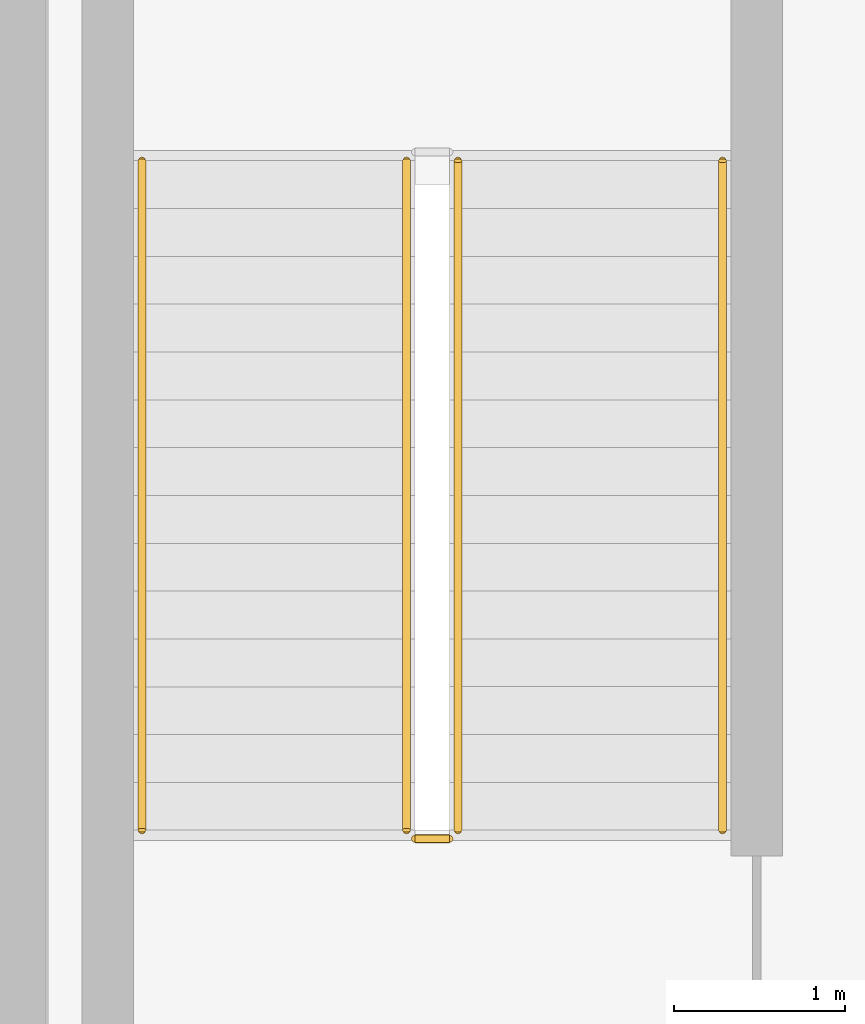
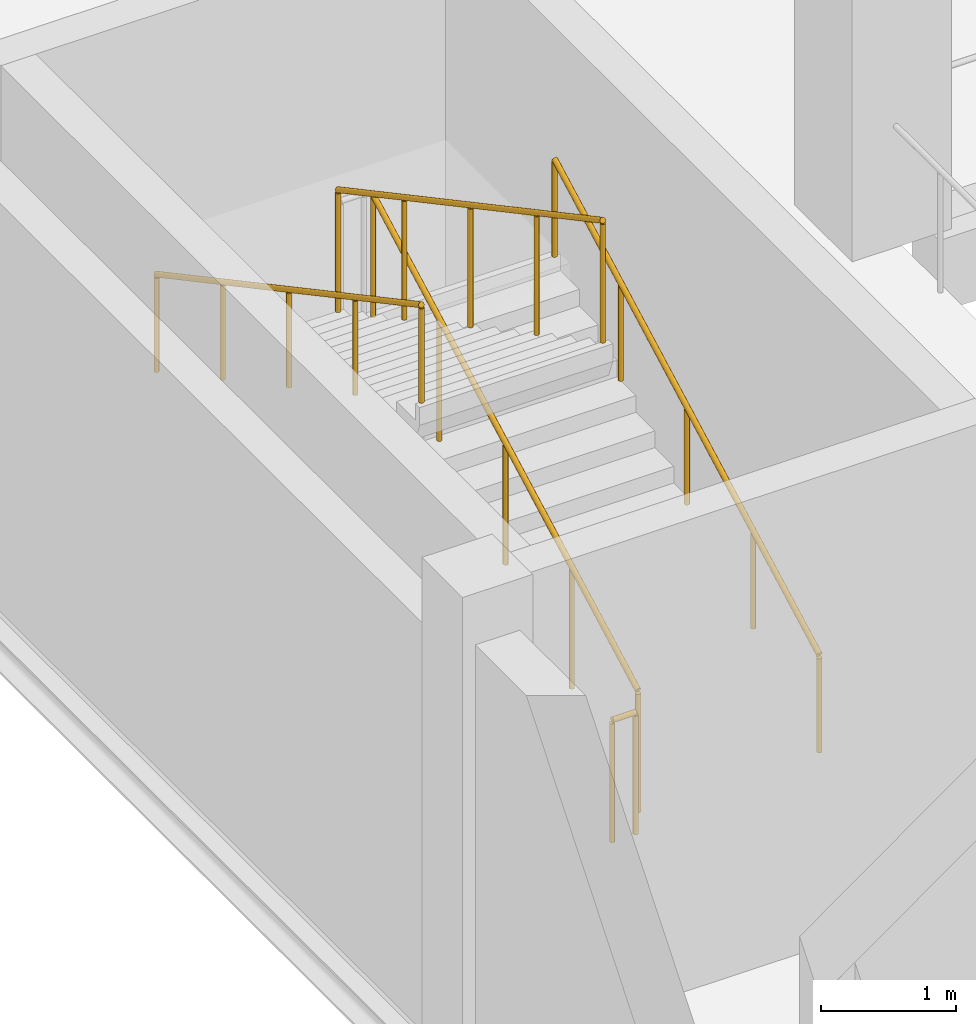
# One storey, part 173 of 183: 5 railings.
"""IFC4 building model written with IfcOpenShell, lengths in metres."""

from ifc_helpers import new_model, si_unit, direction, frame, origin, origin_2d, place, context, subcontext, project, spatial, circle, extrude, material, type_object, element, save


model = new_model("IFC4")

# Units and contexts
model_context = context("Model", 3, precision=1e-05, world=origin(), true_north=direction((0.0, 1.0)))
body_context = subcontext(model_context, "Body", "Model", "MODEL_VIEW")
ifc_project = project(units=[si_unit("LENGTHUNIT", "METRE"), si_unit("AREAUNIT", "SQUARE_METRE"), si_unit("VOLUMEUNIT", "CUBIC_METRE"), si_unit("PLANEANGLEUNIT", "RADIAN"), si_unit("MASSUNIT", "GRAM", prefix="KILO")], contexts=[model_context])

# Site, building, storey
site_placement = place(None, origin())
site = spatial("IfcSite", under=ifc_project, at=site_placement, CompositionType="ELEMENT")
building_placement = place(site_placement, origin())
building = spatial("IfcBuilding", under=site, at=building_placement, Name="Luwemba Playhouse", CompositionType="ELEMENT")
storey_placement = place(building_placement, frame((0.0, 0.0, 4.800048828125)))
storey = spatial("IfcBuildingStorey", under=building, at=storey_placement, Name="L01", CompositionType="ELEMENT", Elevation=4.800048828125)

# Railings
ifc_material_1 = material(Name="Painted wrought-iron gallery balustrade", Category="steel")
railing_type_1 = type_object("IfcRailingType", Name="RLG-BAL-INT", PredefinedType="BALUSTRADE", material=ifc_material_1)
railing_1_placement = place(storey_placement, frame((6.550048828125, 78.0400390625, 0.14990234375)))
element("IfcRailing", 1, at=railing_1_placement, inside=storey, type_object=railing_type_1, Name="L01 ST-03 stair guard 1", PredefinedType="BALUSTRADE", context=body_context, shape_type="SweptSolid", body=[
    extrude(circle(Radius=0.02392578125, at=origin_2d()), frame((0.0, 0.0, 1.09619140625), z_axis=(0.0, 0.881466911329, 0.472245787945), x_axis=(-1.0, 0.0, 0.0)), (0.0, 0.0, 1.0), 4.447021484375),
    extrude(circle(Radius=0.02099609375, at=origin_2d()), origin(), (0.0, 0.0, 1.0), 1.072021484375),
    extrude(circle(Radius=0.02099609375, at=origin_2d()), frame((0.0, 0.97998046875, 0.52490234375)), (0.0, 0.0, 1.0), 1.072021484375),
    extrude(circle(Radius=0.02099609375, at=origin_2d()), frame((0.0, 1.9599609375, 1.050048828125)), (0.0, 0.0, 1.0), 1.072021484375),
    extrude(circle(Radius=0.02099609375, at=origin_2d()), frame((0.0, 2.93994140625, 1.5751953125)), (0.0, 0.0, 1.0), 1.072021484375),
    extrude(circle(Radius=0.02099609375, at=origin_2d()), frame((0.0, 3.919921875, 2.10009765625)), (0.0, 0.0, 1.0), 1.072021484375),
])
railing_2_placement = place(storey_placement, frame((6.25, 81.9599609375, 2.39990234375)))
element("IfcRailing", 2, at=railing_2_placement, inside=storey, type_object=railing_type_1, Name="L01 ST-03 stair guard 3", PredefinedType="BALUSTRADE", context=body_context, shape_type="SweptSolid", body=[
    extrude(circle(Radius=0.02392578125, at=origin_2d()), frame((0.0, 0.0, 1.09619140625), z_axis=(0.0, -0.881466911329, 0.472245787945), x_axis=(1.0, 0.0, 0.0)), (0.0, 0.0, 1.0), 4.447021484375),
    extrude(circle(Radius=0.02099609375, at=origin_2d()), origin(), (0.0, 0.0, 1.0), 1.072021484375),
    extrude(circle(Radius=0.02099609375, at=origin_2d()), frame((0.0, -0.97998046875, 0.52490234375)), (0.0, 0.0, 1.0), 1.072021484375),
    extrude(circle(Radius=0.02099609375, at=origin_2d()), frame((0.0, -1.9599609375, 1.050048828125)), (0.0, 0.0, 1.0), 1.072021484375),
    extrude(circle(Radius=0.02099609375, at=origin_2d()), frame((0.0, -2.93994140625, 1.5751953125)), (0.0, 0.0, 1.0), 1.072021484375),
    extrude(circle(Radius=0.02099609375, at=origin_2d()), frame((0.0, -3.919921875, 2.10009765625)), (0.0, 0.0, 1.0), 1.072021484375),
])
railing_3_placement = place(storey_placement, frame((6.5, 77.989990234375, 0.0)))
element("IfcRailing", 3, at=railing_3_placement, inside=storey, type_object=railing_type_1, Name="L01 ST-03 stair guard 4", PredefinedType="BALUSTRADE", context=body_context, shape_type="SweptSolid", body=[
    extrude(circle(Radius=0.02392578125, at=origin_2d()), frame((0.0, 0.0, 1.09619140625), z_axis=(-1.0, 0.0, 0.0), x_axis=(0.0, -1.0, 0.0)), (0.0, 0.0, 1.0), 0.199951171875),
    extrude(circle(Radius=0.02099609375, at=origin_2d()), origin(), (0.0, 0.0, 1.0), 1.072021484375),
    extrude(circle(Radius=0.02099609375, at=origin_2d()), frame((-0.199951171875, 0.0, 0.0)), (0.0, 0.0, 1.0), 1.072021484375),
])
ifc_material_2 = material(Name="Hardwood and bronze handrail", Category="wood")
railing_type_2 = type_object("IfcRailingType", Name="RLG-HR-INT", PredefinedType="HANDRAIL", material=ifc_material_2)
railing_4_placement = place(storey_placement, frame((8.10009765625, 78.0400390625, 0.14990234375)))
element("IfcRailing", 4, at=railing_4_placement, inside=storey, type_object=railing_type_2, Name="L01 ST-03 stair handrail 1", PredefinedType="HANDRAIL", context=body_context, shape_type="SweptSolid", body=[
    extrude(circle(Radius=0.02392578125, at=origin_2d()), frame((0.0, 0.0, 0.8759765625), z_axis=(0.0, 0.881466911329, 0.472245787945), x_axis=(-1.0, 0.0, 0.0)), (0.0, 0.0, 1.0), 4.447021484375),
    extrude(circle(Radius=0.02099609375, at=origin_2d()), origin(), (0.0, 0.0, 1.0), 0.851806640625),
    extrude(circle(Radius=0.02099609375, at=origin_2d()), frame((0.0, 0.97998046875, 0.52490234375)), (0.0, 0.0, 1.0), 0.851806640625),
    extrude(circle(Radius=0.02099609375, at=origin_2d()), frame((0.0, 1.9599609375, 1.050048828125)), (0.0, 0.0, 1.0), 0.851806640625),
    extrude(circle(Radius=0.02099609375, at=origin_2d()), frame((0.0, 2.93994140625, 1.5751953125)), (0.0, 0.0, 1.0), 0.851806640625),
    extrude(circle(Radius=0.02099609375, at=origin_2d()), frame((0.0, 3.919921875, 2.10009765625)), (0.0, 0.0, 1.0), 0.851806640625),
])
railing_5_placement = place(storey_placement, frame((4.699951171875, 81.9599609375, 2.39990234375)))
element("IfcRailing", 5, at=railing_5_placement, inside=storey, type_object=railing_type_2, Name="L01 ST-03 stair handrail 2", PredefinedType="HANDRAIL", context=body_context, shape_type="SweptSolid", body=[
    extrude(circle(Radius=0.02392578125, at=origin_2d()), frame((0.0, 0.0, 0.8759765625), z_axis=(0.0, -0.881466911329, 0.472245787945), x_axis=(1.0, 0.0, 0.0)), (0.0, 0.0, 1.0), 4.447021484375),
    extrude(circle(Radius=0.02099609375, at=origin_2d()), origin(), (0.0, 0.0, 1.0), 0.851806640625),
    extrude(circle(Radius=0.02099609375, at=origin_2d()), frame((0.0, -0.97998046875, 0.52490234375)), (0.0, 0.0, 1.0), 0.851806640625),
    extrude(circle(Radius=0.02099609375, at=origin_2d()), frame((0.0, -1.9599609375, 1.050048828125)), (0.0, 0.0, 1.0), 0.851806640625),
    extrude(circle(Radius=0.02099609375, at=origin_2d()), frame((0.0, -2.93994140625, 1.5751953125)), (0.0, 0.0, 1.0), 0.851806640625),
    extrude(circle(Radius=0.02099609375, at=origin_2d()), frame((0.0, -3.919921875, 2.10009765625)), (0.0, 0.0, 1.0), 0.851806640625),
])

save(model, "model.ifc")
